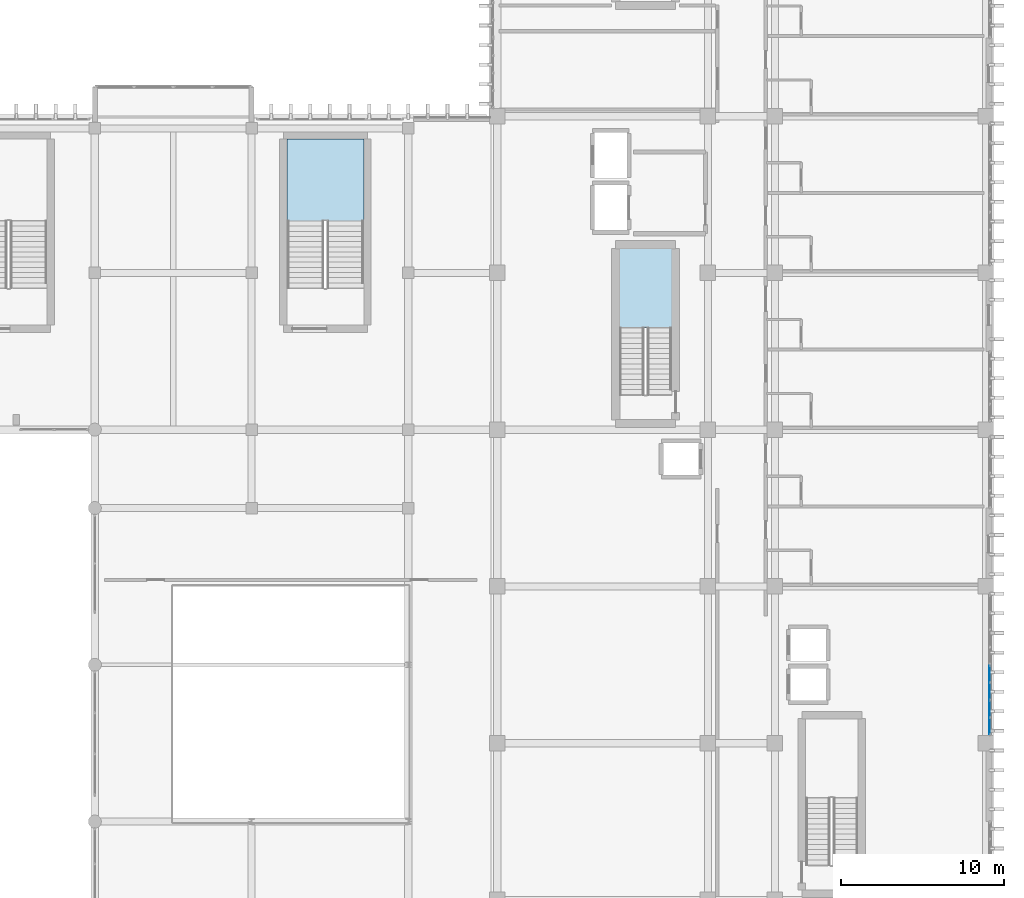
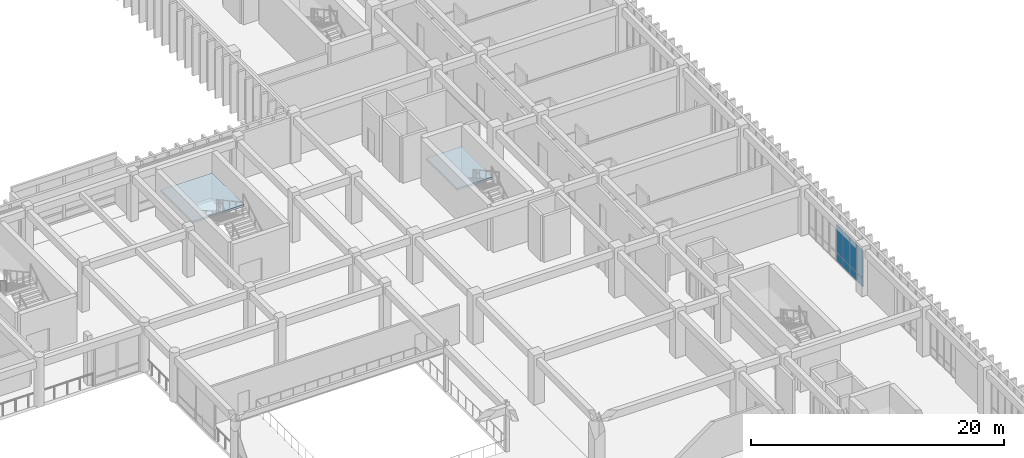
# One storey, part 94 of 133: 8 plates, 2 slabs, 3 elements without a shape of their own.
"""IFC4 building model written with IfcOpenShell, lengths in metres."""

from ifc_helpers import new_model, si_unit, direction, frame, origin, origin_2d, place, context, subcontext, project, spatial, polyline, rectangle, outline, extrude, material, layer, layer_set, type_object, element, aggregate, save


model = new_model("IFC4")

# Units and contexts
model_context = context("Model", 3, precision=1e-05, world=origin(), true_north=direction((0.0, 1.0)))
body_context = subcontext(model_context, "Body", "Model", "MODEL_VIEW")
ifc_project = project(units=[si_unit("LENGTHUNIT", "METRE"), si_unit("AREAUNIT", "SQUARE_METRE"), si_unit("VOLUMEUNIT", "CUBIC_METRE"), si_unit("PLANEANGLEUNIT", "RADIAN"), si_unit("MASSUNIT", "GRAM", prefix="KILO")], contexts=[model_context])

# Site, building, storey
site_placement = place(None, origin())
site = spatial("IfcSite", under=ifc_project, at=site_placement, CompositionType="ELEMENT")
building_placement = place(site_placement, origin())
building = spatial("IfcBuilding", under=site, at=building_placement, Name="Nakhvara Creek Congress Hotel", CompositionType="ELEMENT")
storey_placement = place(building_placement, frame((0.0, 0.0, 11.39990234375)))
storey = spatial("IfcBuildingStorey", under=building, at=storey_placement, Name="L02", CompositionType="ELEMENT", Elevation=11.39990234375)

# Curtain wall, plates
ifc_material_1 = material(Name="Bronze-anodised aluminium AW-6063-T6 and double-silver low-E glass", Category="aluminium")
ifc_layer_1 = layer(ifc_material_1, 0.199951171875)
ifc_layer_set_1 = layer_set([ifc_layer_1], Name="Bronze-anodised aluminium AW-6063-T6 and double-silver low-E glass")
curtain_wall_type = type_object("IfcCurtainWallType", Name="CW-HTL-UNIT", PredefinedType="USERDEFINED", material=ifc_layer_set_1)
curtain_wall_placement = place(storey_placement, origin())
curtain_wall = element("IfcCurtainWall", 1, at=curtain_wall_placement, inside=storey, type_object=curtain_wall_type, Name="Curtain Wall CW136", ObjectType="UNITISED", PredefinedType="USERDEFINED")
ifc_material_2 = material(Name="Double-silver solar-control low-E insulated glass", Category="glass")
plate_type = type_object("IfcPlateType", Name="PNL-GLZ-120X250", PredefinedType="CURTAIN_PANEL", material=ifc_material_2)
plate_1_placement = place(storey_placement, frame((179.60009765625, 61.844970703125, 0.065185546875), z_axis=(0.0, 0.0, 1.0), x_axis=(0.0, -1.0, 0.0)))
plate_1 = element("IfcPlate", 2, at=plate_1_placement, type_object=plate_type, Name="CW136 panel 1.1", PredefinedType="CURTAIN_PANEL", context=body_context, shape_type="SweptSolid", body=[
    extrude(rectangle(XDim=0.97998046875, YDim=0.028076171875, at=origin_2d()), origin(), (0.0, 0.0, 1.0), 0.75244140625),
])
plate_2_placement = place(storey_placement, frame((179.60009765625, 61.844970703125, 0.88232421875), z_axis=(0.0, 0.0, 1.0), x_axis=(0.0, -1.0, 0.0)))
plate_2 = element("IfcPlate", 3, at=plate_2_placement, type_object=plate_type, Name="CW136 panel 1.2", PredefinedType="CURTAIN_PANEL", context=body_context, shape_type="SweptSolid", body=[
    extrude(rectangle(XDim=0.97998046875, YDim=0.028076171875, at=origin_2d()), origin(), (0.0, 0.0, 1.0), 2.714599609375),
])
plate_3_placement = place(storey_placement, frame((179.60009765625, 60.78369140625, 0.065185546875), z_axis=(0.0, 0.0, 1.0), x_axis=(0.0, -1.0, 0.0)))
plate_3 = element("IfcPlate", 4, at=plate_3_placement, type_object=plate_type, Name="CW136 panel 2.1", PredefinedType="CURTAIN_PANEL", context=body_context, shape_type="SweptSolid", body=[
    extrude(rectangle(XDim=1.012451171875, YDim=0.028076171875, at=origin_2d()), origin(), (0.0, 0.0, 1.0), 0.75244140625),
])
plate_4_placement = place(storey_placement, frame((179.60009765625, 60.78369140625, 0.88232421875), z_axis=(0.0, 0.0, 1.0), x_axis=(0.0, -1.0, 0.0)))
plate_4 = element("IfcPlate", 5, at=plate_4_placement, type_object=plate_type, Name="CW136 panel 2.2", PredefinedType="CURTAIN_PANEL", context=body_context, shape_type="SweptSolid", body=[
    extrude(rectangle(XDim=1.012451171875, YDim=0.028076171875, at=origin_2d()), origin(), (0.0, 0.0, 1.0), 2.714599609375),
])
plate_5_placement = place(storey_placement, frame((179.60009765625, 59.706298828125, 0.065185546875), z_axis=(0.0, 0.0, 1.0), x_axis=(0.0, -1.0, 0.0)))
plate_5 = element("IfcPlate", 6, at=plate_5_placement, type_object=plate_type, Name="CW136 panel 3.1", PredefinedType="CURTAIN_PANEL", context=body_context, shape_type="SweptSolid", body=[
    extrude(rectangle(XDim=1.012451171875, YDim=0.028076171875, at=origin_2d()), origin(), (0.0, 0.0, 1.0), 0.75244140625),
])
plate_6_placement = place(storey_placement, frame((179.60009765625, 59.706298828125, 0.88232421875), z_axis=(0.0, 0.0, 1.0), x_axis=(0.0, -1.0, 0.0)))
plate_6 = element("IfcPlate", 7, at=plate_6_placement, type_object=plate_type, Name="CW136 panel 3.2", PredefinedType="CURTAIN_PANEL", context=body_context, shape_type="SweptSolid", body=[
    extrude(rectangle(XDim=1.012451171875, YDim=0.028076171875, at=origin_2d()), origin(), (0.0, 0.0, 1.0), 2.714599609375),
])
plate_7_placement = place(storey_placement, frame((179.60009765625, 58.64501953125, 0.065185546875), z_axis=(0.0, 0.0, 1.0), x_axis=(0.0, -1.0, 0.0)))
plate_7 = element("IfcPlate", 8, at=plate_7_placement, type_object=plate_type, Name="CW136 panel 4.1", PredefinedType="CURTAIN_PANEL", context=body_context, shape_type="SweptSolid", body=[
    extrude(rectangle(XDim=0.97998046875, YDim=0.028076171875, at=origin_2d()), origin(), (0.0, 0.0, 1.0), 0.75244140625),
])
plate_8_placement = place(storey_placement, frame((179.60009765625, 58.64501953125, 0.88232421875), z_axis=(0.0, 0.0, 1.0), x_axis=(0.0, -1.0, 0.0)))
plate_8 = element("IfcPlate", 9, at=plate_8_placement, type_object=plate_type, Name="CW136 panel 4.2", PredefinedType="CURTAIN_PANEL", context=body_context, shape_type="SweptSolid", body=[
    extrude(rectangle(XDim=0.97998046875, YDim=0.028076171875, at=origin_2d()), origin(), (0.0, 0.0, 1.0), 2.714599609375),
])
aggregate(curtain_wall, [plate_1, plate_2, plate_3, plate_4, plate_5, plate_6, plate_7, plate_8])

# Stair, slab
ifc_material_3 = material(Name="Concrete C40/50", Category="concrete")
stair_type_1 = type_object("IfcStairType", Name="ST-CORE-160", PredefinedType="HALF_TURN_STAIR", material=ifc_material_3)
stair_1_placement = place(storey_placement, origin())
stair_1 = element("IfcStair", 10, at=stair_1_placement, inside=storey, type_object=stair_type_1, Name="L02 Protected Exit Stair ST01", PredefinedType="HALF_TURN_STAIR")
ifc_layer_2 = layer(ifc_material_3, 0.199951171875)
ifc_layer_set_2 = layer_set([ifc_layer_2], Name="Concrete C40/50")
slab_type = type_object("IfcSlabType", Name="SL-LAND-200", PredefinedType="LANDING", material=ifc_layer_set_2)
slab_1_placement = place(storey_placement, frame((0.0, 0.0, 2.2001953125)))
slab_1 = element("IfcSlab", 11, at=slab_1_placement, type_object=slab_type, Name="ST01 landing 1", PredefinedType="LANDING", context=body_context, shape_type="SweptSolid", body=[
    extrude(outline(polyline([(160.14990234375, 83.034912109375), (160.14990234375, 87.89990234375), (156.919921875, 87.89990234375), (156.919921875, 83.034912109375), (160.14990234375, 83.034912109375)])), origin(), (0.0, 0.0, 1.0), 0.199951171875),
])
aggregate(stair_1, [slab_1])

stair_type_2 = type_object("IfcStairType", Name="ST-CORE-230", PredefinedType="HALF_TURN_STAIR", material=ifc_material_3)
stair_2_placement = place(storey_placement, origin())
stair_2 = element("IfcStair", 12, at=stair_2_placement, inside=storey, type_object=stair_type_2, Name="L02 Protected Exit Stair ST10", PredefinedType="HALF_TURN_STAIR")
slab_2_placement = place(storey_placement, frame((0.0, 0.0, 2.2001953125)))
slab_2 = element("IfcSlab", 13, at=slab_2_placement, type_object=slab_type, Name="ST10 landing 1", PredefinedType="LANDING", context=body_context, shape_type="SweptSolid", body=[
    extrude(outline(polyline([(141.280029296875, 89.574951171875), (141.280029296875, 94.60009765625), (136.570068359375, 94.60009765625), (136.570068359375, 89.574951171875), (141.280029296875, 89.574951171875)])), origin(), (0.0, 0.0, 1.0), 0.199951171875),
])
aggregate(stair_2, [slab_2])

save(model, "model.ifc")
